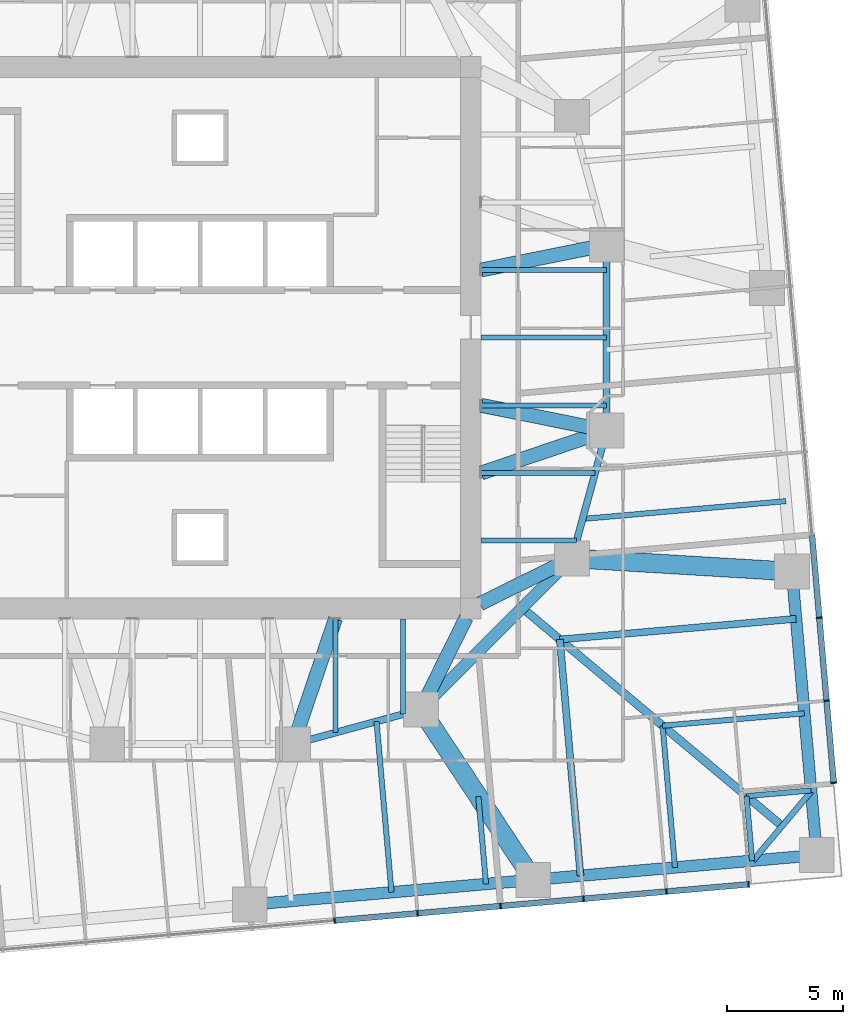
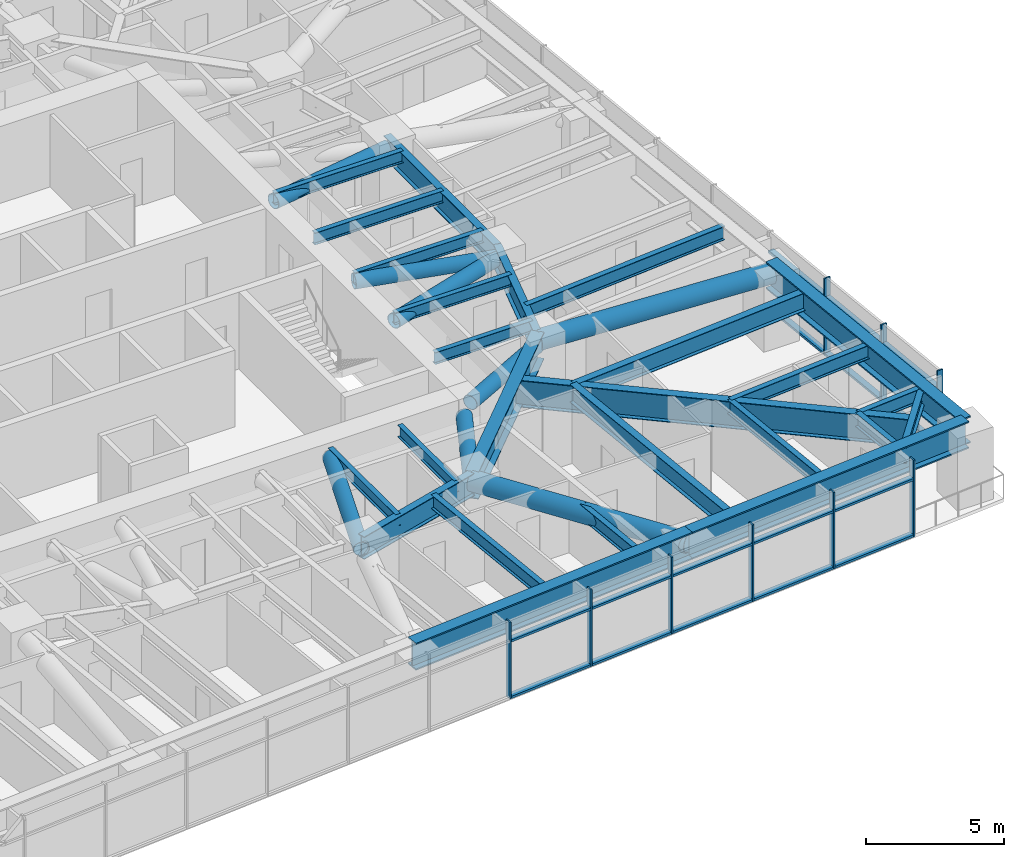
# One storey, part 4 of 18: 33 members, 25 beams, 2 elements without a shape of their own.
"""IFC4 building model written with IfcOpenShell, lengths in metres."""

from ifc_helpers import new_model, si_unit, direction, frame, origin, origin_2d, place, context, subcontext, project, spatial, rectangle, hollow_circle, i_section, extrude, material, material_profile, profile_set, type_object, element, aggregate, save


model = new_model("IFC4")

# Units and contexts
model_context = context("Model", 3, precision=1e-05, world=origin(), true_north=direction((0.0, 1.0)))
body_context = subcontext(model_context, "Body", "Model", "MODEL_VIEW")
ifc_project = project(units=[si_unit("LENGTHUNIT", "METRE"), si_unit("AREAUNIT", "SQUARE_METRE"), si_unit("VOLUMEUNIT", "CUBIC_METRE"), si_unit("PLANEANGLEUNIT", "RADIAN"), si_unit("MASSUNIT", "GRAM", prefix="KILO")], contexts=[model_context])

# Site, building, storey
site_placement = place(None, origin())
site = spatial("IfcSite", under=ifc_project, at=site_placement, CompositionType="ELEMENT")
building_placement = place(site_placement, origin())
building = spatial("IfcBuilding", under=site, at=building_placement, Name="Torsade Residences", CompositionType="ELEMENT")
storey_placement = place(building_placement, frame((0.0, 0.0, 71.0)))
storey = spatial("IfcBuildingStorey", under=building, at=storey_placement, Name="L19", CompositionType="ELEMENT", Elevation=71.0)

# Beams
ifc_material_1 = material(Name="Steel grade 300", Category="steel")
ifc_material_profile_1 = material_profile(ifc_material_1, i_section(OverallWidth=0.35009765625, OverallDepth=1.199951171875, WebThickness=0.01611328125, FlangeThickness=0.028076171875, at=origin_2d()), Name="1200WB278")
ifc_profile_set_1 = profile_set([ifc_material_profile_1], Name="Steel grade 300")
beam_type_1 = type_object("IfcBeamType", Name="CORNER GIRDER 1200WB278", PredefinedType="BEAM", material=ifc_profile_set_1)
beam_1_placement = place(storey_placement, frame((65.052490234375, 8.978515625, 2.60009765625), z_axis=(-0.766046281307, 0.642785419012, 0.0), x_axis=(-0.642785419012, -0.766046281307, 0.0)))
element("IfcBeam", 1, at=beam_1_placement, inside=storey, type_object=beam_type_1, Name="Corner girder 05 L20", PredefinedType="BEAM", context=body_context, shape_type="SweptSolid", body=[
    extrude(i_section(OverallWidth=0.35009765625, OverallDepth=1.199951171875, WebThickness=0.01611328125, FlangeThickness=0.028076171875, at=origin_2d()), origin(), (0.0, 0.0, 1.0), 14.603515625),
])
ifc_material_2 = material(Name="Steel grade 300", Category="steel")
ifc_material_profile_2 = material_profile(ifc_material_2, i_section(OverallWidth=0.25, OverallDepth=0.699951171875, WebThickness=0.010009765625, FlangeThickness=0.02001953125, at=origin_2d()), Name="700WB130")
ifc_profile_set_2 = profile_set([ifc_material_profile_2], Name="Steel grade 300")
beam_type_2 = type_object("IfcBeamType", Name="CORNER TRIMMER 700WB130", PredefinedType="BEAM", material=ifc_profile_set_2)
beam_2_placement = place(storey_placement, frame((66.302490234375, 10.468017578125, 2.85009765625), z_axis=(-0.642804819911, -0.766030001697, 0.0), x_axis=(0.766030001697, -0.642804819911, 0.0)))
element("IfcBeam", 2, at=beam_2_placement, inside=storey, type_object=beam_type_2, Name="Corner trimmer 05 L20", PredefinedType="BEAM", context=body_context, shape_type="SweptSolid", body=[
    extrude(i_section(OverallWidth=0.25, OverallDepth=0.699951171875, WebThickness=0.010009765625, FlangeThickness=0.02001953125, at=origin_2d()), origin(), (0.0, 0.0, 1.0), 3.88916015625),
])

# Curtain wall, members
ifc_material_3 = material(Name="Aluminium and glass", Category="aluminium")
curtain_wall_type = type_object("IfcCurtainWallType", Name="FRITTED GLASS CURTAIN WALL LOW ZONE", PredefinedType="NOTDEFINED", material=ifc_material_3)
curtain_wall_1_placement = place(storey_placement, origin())
curtain_wall_1 = element("IfcCurtainWall", 3, at=curtain_wall_1_placement, inside=storey, type_object=curtain_wall_type, Name="Curtain wall L19 face 1", PredefinedType="NOTDEFINED")
ifc_material_4 = material(Name="Aluminium mullion", Category="aluminium")
ifc_material_profile_3 = material_profile(ifc_material_4, rectangle(XDim=0.25, YDim=0.06494140625, at=origin_2d()), Name="CURTAIN WALL MULLION 250x65")
ifc_profile_set_3 = profile_set([ifc_material_profile_3], Name="Aluminium mullion")
member_type_1 = type_object("IfcMemberType", Name="CURTAIN WALL MULLION 250x65", PredefinedType="MULLION", material=ifc_profile_set_3)
member_1_placement = place(storey_placement, frame((45.792236328125, 4.909423828125, 0.0), z_axis=(0.0, 0.0, 1.0), x_axis=(-0.087155744208, 0.996194697964, 0.0)))
member_1 = element("IfcMember", 4, at=member_1_placement, type_object=member_type_1, Name="Mullion 8", PredefinedType="MULLION", context=body_context, shape_type="SweptSolid", body=[
    extrude(rectangle(XDim=0.25, YDim=0.06494140625, at=origin_2d()), origin(), (0.0, 0.0, 1.0), 3.39990234375),
])
member_2_placement = place(storey_placement, frame((49.36181640625, 5.2216796875, 0.0), z_axis=(0.0, 0.0, 1.0), x_axis=(-0.087155744208, 0.996194697964, 0.0)))
member_2 = element("IfcMember", 5, at=member_2_placement, type_object=member_type_1, Name="Mullion 9", PredefinedType="MULLION", context=body_context, shape_type="SweptSolid", body=[
    extrude(rectangle(XDim=0.25, YDim=0.06494140625, at=origin_2d()), origin(), (0.0, 0.0, 1.0), 3.39990234375),
])
member_3_placement = place(storey_placement, frame((52.931640625, 5.533935546875, 0.0), z_axis=(0.0, 0.0, 1.0), x_axis=(-0.087155744208, 0.996194697964, 0.0)))
member_3 = element("IfcMember", 6, at=member_3_placement, type_object=member_type_1, Name="Mullion 10", PredefinedType="MULLION", context=body_context, shape_type="SweptSolid", body=[
    extrude(rectangle(XDim=0.25, YDim=0.06494140625, at=origin_2d()), origin(), (0.0, 0.0, 1.0), 3.39990234375),
])
member_4_placement = place(storey_placement, frame((56.501220703125, 5.84619140625, 0.0), z_axis=(0.0, 0.0, 1.0), x_axis=(-0.087155744208, 0.996194697964, 0.0)))
member_4 = element("IfcMember", 7, at=member_4_placement, type_object=member_type_1, Name="Mullion 11", PredefinedType="MULLION", context=body_context, shape_type="SweptSolid", body=[
    extrude(rectangle(XDim=0.25, YDim=0.06494140625, at=origin_2d()), origin(), (0.0, 0.0, 1.0), 3.39990234375),
])
member_5_placement = place(storey_placement, frame((60.071044921875, 6.15869140625, 0.0), z_axis=(0.0, 0.0, 1.0), x_axis=(-0.087155744208, 0.996194697964, 0.0)))
member_5 = element("IfcMember", 8, at=member_5_placement, type_object=member_type_1, Name="Mullion 12", PredefinedType="MULLION", context=body_context, shape_type="SweptSolid", body=[
    extrude(rectangle(XDim=0.25, YDim=0.06494140625, at=origin_2d()), origin(), (0.0, 0.0, 1.0), 3.39990234375),
])
member_6_placement = place(storey_placement, frame((63.6083984375, 6.468017578125, 0.0), z_axis=(0.0, 0.0, 1.0), x_axis=(-0.087155744208, 0.996194697964, 0.0)))
member_6 = element("IfcMember", 9, at=member_6_placement, type_object=member_type_1, Name="Mullion 13", PredefinedType="MULLION", context=body_context, shape_type="SweptSolid", body=[
    extrude(rectangle(XDim=0.25, YDim=0.06494140625, at=origin_2d()), origin(), (0.0, 0.0, 1.0), 3.39990234375),
])

curtain_wall_2_placement = place(storey_placement, origin())
curtain_wall_2 = element("IfcCurtainWall", 10, at=curtain_wall_2_placement, inside=storey, type_object=curtain_wall_type, Name="Curtain wall L19 face 4", PredefinedType="NOTDEFINED")
member_7_placement = place(storey_placement, frame((67.27392578125, 10.836669921875, 0.0), z_axis=(0.0, 0.0, 1.0), x_axis=(-0.996194697964, -0.087155744208, 0.0)))
member_7 = element("IfcMember", 11, at=member_7_placement, type_object=member_type_1, Name="Mullion 1", PredefinedType="MULLION", context=body_context, shape_type="SweptSolid", body=[
    extrude(rectangle(XDim=0.25, YDim=0.06494140625, at=origin_2d()), origin(), (0.0, 0.0, 1.0), 3.39990234375),
])
member_8_placement = place(storey_placement, frame((66.964599609375, 14.3740234375, 0.0), z_axis=(0.0, 0.0, 1.0), x_axis=(-0.996194697964, -0.087155744208, 0.0)))
member_8 = element("IfcMember", 12, at=member_8_placement, type_object=member_type_1, Name="Mullion 2", PredefinedType="MULLION", context=body_context, shape_type="SweptSolid", body=[
    extrude(rectangle(XDim=0.25, YDim=0.06494140625, at=origin_2d()), origin(), (0.0, 0.0, 1.0), 3.39990234375),
])
member_9_placement = place(storey_placement, frame((66.652099609375, 17.943603515625, 0.0), z_axis=(0.0, 0.0, 1.0), x_axis=(-0.996194697964, -0.087155744208, 0.0)))
member_9 = element("IfcMember", 13, at=member_9_placement, type_object=member_type_1, Name="Mullion 3", PredefinedType="MULLION", context=body_context, shape_type="SweptSolid", body=[
    extrude(rectangle(XDim=0.25, YDim=0.06494140625, at=origin_2d()), origin(), (0.0, 0.0, 1.0), 3.39990234375),
])

# Member
ifc_material_5 = material(Name="Aluminium transom", Category="aluminium")
ifc_material_profile_4 = material_profile(ifc_material_5, rectangle(XDim=0.25, YDim=0.10009765625, at=origin_2d()), Name="CURTAIN WALL TRANSOM 250x100")
ifc_profile_set_4 = profile_set([ifc_material_profile_4], Name="Aluminium transom")
member_type_2 = type_object("IfcMemberType", Name="CURTAIN WALL TRANSOM 250x100", PredefinedType="USERDEFINED", material=ifc_profile_set_4)
member_10_placement = place(storey_placement, frame((45.824462890625, 4.912109375, 0.050048828125), z_axis=(0.996195148363, 0.08715059597, 0.0), x_axis=(-0.08715059597, 0.996195148363, 0.0)))
member_10 = element("IfcMember", 14, at=member_10_placement, type_object=member_type_2, Name="Transom 8.1", ObjectType="TRANSOM", PredefinedType="USERDEFINED", context=body_context, shape_type="SweptSolid", body=[
    extrude(rectangle(XDim=0.25, YDim=0.10009765625, at=origin_2d()), origin(), (0.0, 0.0, 1.0), 3.5185546875),
])

member_11_placement = place(storey_placement, frame((45.824462890625, 4.912109375, 2.550048828125), z_axis=(0.996195148363, 0.08715059597, 0.0), x_axis=(-0.08715059597, 0.996195148363, 0.0)))
member_11 = element("IfcMember", 15, at=member_11_placement, type_object=member_type_2, Name="Transom 8.2", ObjectType="TRANSOM", PredefinedType="USERDEFINED", context=body_context, shape_type="SweptSolid", body=[
    extrude(rectangle(XDim=0.25, YDim=0.10009765625, at=origin_2d()), origin(), (0.0, 0.0, 1.0), 3.5185546875),
])

member_12_placement = place(storey_placement, frame((49.394287109375, 5.224365234375, 0.050048828125), z_axis=(0.996194621295, 0.087156620531, 0.0), x_axis=(-0.087156620531, 0.996194621295, 0.0)))
member_12 = element("IfcMember", 16, at=member_12_placement, type_object=member_type_2, Name="Transom 9.1", ObjectType="TRANSOM", PredefinedType="USERDEFINED", context=body_context, shape_type="SweptSolid", body=[
    extrude(rectangle(XDim=0.25, YDim=0.10009765625, at=origin_2d()), origin(), (0.0, 0.0, 1.0), 3.518310546875),
])

member_13_placement = place(storey_placement, frame((49.394287109375, 5.224365234375, 2.550048828125), z_axis=(0.996194621295, 0.087156620531, 0.0), x_axis=(-0.087156620531, 0.996194621295, 0.0)))
member_13 = element("IfcMember", 17, at=member_13_placement, type_object=member_type_2, Name="Transom 9.2", ObjectType="TRANSOM", PredefinedType="USERDEFINED", context=body_context, shape_type="SweptSolid", body=[
    extrude(rectangle(XDim=0.25, YDim=0.10009765625, at=origin_2d()), origin(), (0.0, 0.0, 1.0), 3.518310546875),
])

member_14_placement = place(storey_placement, frame((52.9638671875, 5.536865234375, 0.050048828125), z_axis=(0.996195148363, 0.08715059597, 0.0), x_axis=(-0.08715059597, 0.996195148363, 0.0)))
member_14 = element("IfcMember", 18, at=member_14_placement, type_object=member_type_2, Name="Transom 10.1", ObjectType="TRANSOM", PredefinedType="USERDEFINED", context=body_context, shape_type="SweptSolid", body=[
    extrude(rectangle(XDim=0.25, YDim=0.10009765625, at=origin_2d()), origin(), (0.0, 0.0, 1.0), 3.5185546875),
])

member_15_placement = place(storey_placement, frame((52.9638671875, 5.536865234375, 2.550048828125), z_axis=(0.996195148363, 0.08715059597, 0.0), x_axis=(-0.08715059597, 0.996195148363, 0.0)))
member_15 = element("IfcMember", 19, at=member_15_placement, type_object=member_type_2, Name="Transom 10.2", ObjectType="TRANSOM", PredefinedType="USERDEFINED", context=body_context, shape_type="SweptSolid", body=[
    extrude(rectangle(XDim=0.25, YDim=0.10009765625, at=origin_2d()), origin(), (0.0, 0.0, 1.0), 3.5185546875),
])

member_16_placement = place(storey_placement, frame((56.53369140625, 5.84912109375, 0.050048828125), z_axis=(0.996194621295, 0.087156620531, 0.0), x_axis=(-0.087156620531, 0.996194621295, 0.0)))
member_16 = element("IfcMember", 20, at=member_16_placement, type_object=member_type_2, Name="Transom 11.1", ObjectType="TRANSOM", PredefinedType="USERDEFINED", context=body_context, shape_type="SweptSolid", body=[
    extrude(rectangle(XDim=0.25, YDim=0.10009765625, at=origin_2d()), origin(), (0.0, 0.0, 1.0), 3.518310546875),
])

member_17_placement = place(storey_placement, frame((56.53369140625, 5.84912109375, 2.550048828125), z_axis=(0.996194621295, 0.087156620531, 0.0), x_axis=(-0.087156620531, 0.996194621295, 0.0)))
member_17 = element("IfcMember", 21, at=member_17_placement, type_object=member_type_2, Name="Transom 11.2", ObjectType="TRANSOM", PredefinedType="USERDEFINED", context=body_context, shape_type="SweptSolid", body=[
    extrude(rectangle(XDim=0.25, YDim=0.10009765625, at=origin_2d()), origin(), (0.0, 0.0, 1.0), 3.518310546875),
])

member_18_placement = place(storey_placement, frame((60.103271484375, 6.161376953125, 0.050048828125), z_axis=(0.996191284475, 0.08719475177, 0.0), x_axis=(-0.08719475177, 0.996191284475, 0.0)))
member_18 = element("IfcMember", 22, at=member_18_placement, type_object=member_type_2, Name="Transom 12.1", ObjectType="TRANSOM", PredefinedType="USERDEFINED", context=body_context, shape_type="SweptSolid", body=[
    extrude(rectangle(XDim=0.25, YDim=0.10009765625, at=origin_2d()), origin(), (0.0, 0.0, 1.0), 3.48583984375),
])

member_19_placement = place(storey_placement, frame((60.103271484375, 6.161376953125, 2.550048828125), z_axis=(0.996191284475, 0.08719475177, 0.0), x_axis=(-0.08719475177, 0.996191284475, 0.0)))
member_19 = element("IfcMember", 23, at=member_19_placement, type_object=member_type_2, Name="Transom 12.2", ObjectType="TRANSOM", PredefinedType="USERDEFINED", context=body_context, shape_type="SweptSolid", body=[
    extrude(rectangle(XDim=0.25, YDim=0.10009765625, at=origin_2d()), origin(), (0.0, 0.0, 1.0), 3.48583984375),
])

aggregate(curtain_wall_1, [member_1, member_2, member_3, member_4, member_5, member_6, member_10, member_11, member_12, member_13, member_14, member_15, member_16, member_17, member_18, member_19])

member_20_placement = place(storey_placement, frame((67.271240234375, 10.869140625, 0.050048828125), z_axis=(-0.0872008357, 0.996190751941, 0.0), x_axis=(-0.996190751941, -0.0872008357, 0.0)))
member_20 = element("IfcMember", 24, at=member_20_placement, type_object=member_type_2, Name="Transom 1.1", ObjectType="TRANSOM", PredefinedType="USERDEFINED", context=body_context, shape_type="SweptSolid", body=[
    extrude(rectangle(XDim=0.25, YDim=0.10009765625, at=origin_2d()), origin(), (0.0, 0.0, 1.0), 3.485595703125),
])

member_21_placement = place(storey_placement, frame((67.271240234375, 10.869140625, 2.550048828125), z_axis=(-0.0872008357, 0.996190751941, 0.0), x_axis=(-0.996190751941, -0.0872008357, 0.0)))
member_21 = element("IfcMember", 25, at=member_21_placement, type_object=member_type_2, Name="Transom 1.2", ObjectType="TRANSOM", PredefinedType="USERDEFINED", context=body_context, shape_type="SweptSolid", body=[
    extrude(rectangle(XDim=0.25, YDim=0.10009765625, at=origin_2d()), origin(), (0.0, 0.0, 1.0), 3.485595703125),
])

member_22_placement = place(storey_placement, frame((66.961669921875, 14.40625, 0.050048828125), z_axis=(-0.08715059597, 0.996195148363, 0.0), x_axis=(-0.996195148363, -0.08715059597, 0.0)))
member_22 = element("IfcMember", 26, at=member_22_placement, type_object=member_type_2, Name="Transom 2.1", ObjectType="TRANSOM", PredefinedType="USERDEFINED", context=body_context, shape_type="SweptSolid", body=[
    extrude(rectangle(XDim=0.25, YDim=0.10009765625, at=origin_2d()), origin(), (0.0, 0.0, 1.0), 3.5185546875),
])

member_23_placement = place(storey_placement, frame((66.961669921875, 14.40625, 2.550048828125), z_axis=(-0.08715059597, 0.996195148363, 0.0), x_axis=(-0.996195148363, -0.08715059597, 0.0)))
member_23 = element("IfcMember", 27, at=member_23_placement, type_object=member_type_2, Name="Transom 2.2", ObjectType="TRANSOM", PredefinedType="USERDEFINED", context=body_context, shape_type="SweptSolid", body=[
    extrude(rectangle(XDim=0.25, YDim=0.10009765625, at=origin_2d()), origin(), (0.0, 0.0, 1.0), 3.5185546875),
])

member_24_placement = place(storey_placement, frame((66.6494140625, 17.97607421875, 0.050048828125), z_axis=(-0.087156620531, 0.996194621295, 0.0), x_axis=(-0.996194621295, -0.087156620531, 0.0)))
member_24 = element("IfcMember", 28, at=member_24_placement, type_object=member_type_2, Name="Transom 3.1", ObjectType="TRANSOM", PredefinedType="USERDEFINED", context=body_context, shape_type="SweptSolid", body=[
    extrude(rectangle(XDim=0.25, YDim=0.10009765625, at=origin_2d()), origin(), (0.0, 0.0, 1.0), 3.518310546875),
])

member_25_placement = place(storey_placement, frame((66.6494140625, 17.97607421875, 2.550048828125), z_axis=(-0.087156620531, 0.996194621295, 0.0), x_axis=(-0.996194621295, -0.087156620531, 0.0)))
member_25 = element("IfcMember", 29, at=member_25_placement, type_object=member_type_2, Name="Transom 3.2", ObjectType="TRANSOM", PredefinedType="USERDEFINED", context=body_context, shape_type="SweptSolid", body=[
    extrude(rectangle(XDim=0.25, YDim=0.10009765625, at=origin_2d()), origin(), (0.0, 0.0, 1.0), 3.518310546875),
])

aggregate(curtain_wall_2, [member_7, member_8, member_9, member_20, member_21, member_22, member_23, member_24, member_25])

# Beams
ifc_material_6 = material(Name="Steel grade 300", Category="steel")
ifc_material_profile_5 = material_profile(ifc_material_6, i_section(OverallWidth=0.208984375, OverallDepth=0.528076171875, WebThickness=0.009521484375, FlangeThickness=0.01318359375, FilletRadius=0.013916015625, at=origin_2d()), Name="530UB82.0")
ifc_profile_set_5 = profile_set([ifc_material_profile_5], Name="Steel grade 300")
beam_type_3 = type_object("IfcBeamType", Name="INNER FLOOR BEAM 530UB82.0", PredefinedType="JOIST", material=ifc_profile_set_5)
beam_3_placement = place(storey_placement, frame((48.737548828125, 17.89990234375, 2.93603515625), z_axis=(0.0, -1.0, 0.0), x_axis=(1.0, 0.0, 0.0)))
element("IfcBeam", 30, at=beam_3_placement, inside=storey, type_object=beam_type_3, Name="Inner floor beam IS01 L20", PredefinedType="JOIST", context=body_context, shape_type="SweptSolid", body=[
    extrude(i_section(OverallWidth=0.208984375, OverallDepth=0.528076171875, WebThickness=0.009521484375, FlangeThickness=0.01318359375, FilletRadius=0.013916015625, at=origin_2d()), origin(), (0.0, 0.0, 1.0), 4.10791015625),
])
beam_4_placement = place(storey_placement, frame((45.824951171875, 17.89990234375, 2.93603515625), z_axis=(0.0, -1.0, 0.0), x_axis=(1.0, 0.0, 0.0)))
element("IfcBeam", 31, at=beam_4_placement, inside=storey, type_object=beam_type_3, Name="Inner floor beam IS02 L20", PredefinedType="JOIST", context=body_context, shape_type="SweptSolid", body=[
    extrude(i_section(OverallWidth=0.208984375, OverallDepth=0.528076171875, WebThickness=0.009521484375, FlangeThickness=0.01318359375, FilletRadius=0.013916015625, at=origin_2d()), origin(), (0.0, 0.0, 1.0), 4.902099609375),
])
beam_5_placement = place(storey_placement, frame((52.10009765625, 21.262451171875, 2.93603515625), z_axis=(1.0, 0.0, 0.0), x_axis=(0.0, 1.0, 0.0)))
element("IfcBeam", 32, at=beam_5_placement, inside=storey, type_object=beam_type_3, Name="Inner floor beam IE01 L20", PredefinedType="JOIST", context=body_context, shape_type="SweptSolid", body=[
    extrude(i_section(OverallWidth=0.208984375, OverallDepth=0.528076171875, WebThickness=0.009521484375, FlangeThickness=0.01318359375, FilletRadius=0.013916015625, at=origin_2d()), origin(), (0.0, 0.0, 1.0), 4.10791015625),
])
beam_6_placement = place(storey_placement, frame((52.10009765625, 24.175048828125, 2.93603515625), z_axis=(1.0, 0.0, 0.0), x_axis=(0.0, 1.0, 0.0)))
element("IfcBeam", 33, at=beam_6_placement, inside=storey, type_object=beam_type_3, Name="Inner floor beam IE02 L20", PredefinedType="JOIST", context=body_context, shape_type="SweptSolid", body=[
    extrude(i_section(OverallWidth=0.208984375, OverallDepth=0.528076171875, WebThickness=0.009521484375, FlangeThickness=0.01318359375, FilletRadius=0.013916015625, at=origin_2d()), origin(), (0.0, 0.0, 1.0), 4.902099609375),
])
for number, where, z_axis, x_axis, name in (
    (34, (52.10009765625, 27.08740234375, 2.93603515625), (1.0, 0.0, 0.0), (0.0, 1.0, 0.0), "Inner floor beam IE03 L20"),
    (35, (52.10009765625, 30.0, 2.93603515625), (1.0, 0.0, 0.0), (0.0, 1.0, 0.0), "Inner floor beam IE04 L20"),
    (36, (52.10009765625, 32.91259765625, 2.93603515625), (1.0, 0.0, 0.0), (0.0, 1.0, 0.0), "Inner floor beam IE05 L20"),
):
    element("IfcBeam", number, at=place(storey_placement, frame(where, z_axis=z_axis, x_axis=x_axis)), inside=storey, type_object=beam_type_3, Name=name, PredefinedType="JOIST", context=body_context, shape_type="SweptSolid", body=[
        extrude(i_section(OverallWidth=0.208984375, OverallDepth=0.528076171875, WebThickness=0.009521484375, FlangeThickness=0.01318359375, FilletRadius=0.013916015625, at=origin_2d()), origin(), (0.0, 0.0, 1.0), 5.39990234375),
    ])
ifc_material_7 = material(Name="Steel grade 300", Category="steel")
ifc_material_profile_6 = material_profile(ifc_material_7, i_section(OverallWidth=0.5, OverallDepth=1.199951171875, WebThickness=0.01611328125, FlangeThickness=0.0400390625, at=origin_2d()), Name="1200WB455")
ifc_profile_set_6 = profile_set([ifc_material_profile_6], Name="Steel grade 300")
beam_type_4 = type_object("IfcBeamType", Name="RING CORNER GIRDER 1200WB455", PredefinedType="BEAM", material=ifc_profile_set_6)
beam_7_placement = place(storey_placement, frame((49.5, 14.0, 2.60009765625), z_axis=(0.707106781187, 0.707106781187, 0.0), x_axis=(-0.707106781187, 0.707106781187, 0.0)))
element("IfcBeam", 37, at=beam_7_placement, inside=storey, type_object=beam_type_4, Name="Ring girder IR15 L20", PredefinedType="BEAM", context=body_context, shape_type="SweptSolid", body=[
    extrude(i_section(OverallWidth=0.5, OverallDepth=1.199951171875, WebThickness=0.01611328125, FlangeThickness=0.0400390625, at=origin_2d()), origin(), (0.0, 0.0, 1.0), 9.1923828125),
])
ifc_material_8 = material(Name="Steel grade 300", Category="steel")
ifc_material_profile_7 = material_profile(ifc_material_8, i_section(OverallWidth=0.300048828125, OverallDepth=1.0, WebThickness=0.01611328125, FlangeThickness=0.028076171875, at=origin_2d()), Name="1000WB215")
ifc_profile_set_7 = profile_set([ifc_material_profile_7], Name="Steel grade 300")
beam_type_5 = type_object("IfcBeamType", Name="RING GIRDER 1000WB215", PredefinedType="BEAM", material=ifc_profile_set_7)
beam_8_placement = place(storey_placement, frame((57.5, 26.0, 2.699951171875), z_axis=(0.0, 1.0, 0.0), x_axis=(-1.0, 0.0, 0.0)))
element("IfcBeam", 38, at=beam_8_placement, inside=storey, type_object=beam_type_5, Name="Ring girder IR01 L20", PredefinedType="BEAM", context=body_context, shape_type="SweptSolid", body=[
    extrude(i_section(OverallWidth=0.300048828125, OverallDepth=1.0, WebThickness=0.01611328125, FlangeThickness=0.028076171875, at=origin_2d()), origin(), (0.0, 0.0, 1.0), 8.0),
])
for number, where, z_axis, x_axis, name in (
    (39, (44.0, 12.5, 2.699951171875), (0.964763821238, 0.263117405792, 0.0), (-0.263117405792, 0.964763821238, 0.0), "Ring girder IR14 L20"),
    (40, (56.0, 20.5, 2.699951171875), (0.263117405792, 0.964763821238, 0.0), (-0.964763821238, 0.263117405792, 0.0), "Ring girder IR16 L20"),
):
    element("IfcBeam", number, at=place(storey_placement, frame(where, z_axis=z_axis, x_axis=x_axis)), inside=storey, type_object=beam_type_5, Name=name, PredefinedType="BEAM", context=body_context, shape_type="SweptSolid", body=[
        extrude(i_section(OverallWidth=0.300048828125, OverallDepth=1.0, WebThickness=0.01611328125, FlangeThickness=0.028076171875, at=origin_2d()), origin(), (0.0, 0.0, 1.0), 5.700927734375),
    ])
ifc_material_9 = material(Name="Steel grade 300", Category="steel")
ifc_material_profile_8 = material_profile(ifc_material_9, i_section(OverallWidth=0.22900390625, OverallDepth=0.612060546875, WebThickness=0.011962890625, FlangeThickness=0.01953125, FilletRadius=0.013916015625, at=origin_2d()), Name="610UB125")
ifc_profile_set_8 = profile_set([ifc_material_profile_8], Name="Steel grade 300")
beam_type_6 = type_object("IfcBeamType", Name="SECONDARY BEAM 610UB125", PredefinedType="JOIST", material=ifc_profile_set_8)
beam_9_placement = place(storey_placement, frame((48.237060546875, 6.126953125, 2.89404296875), z_axis=(-0.087156282128, 0.996194650902, 0.0), x_axis=(-0.996194650902, -0.087156282128, 0.0)))
element("IfcBeam", 41, at=beam_9_placement, inside=storey, type_object=beam_type_6, Name="Floor beam FS08 L20", PredefinedType="JOIST", context=body_context, shape_type="SweptSolid", body=[
    extrude(i_section(OverallWidth=0.22900390625, OverallDepth=0.612060546875, WebThickness=0.011962890625, FlangeThickness=0.01953125, FilletRadius=0.013916015625, at=origin_2d()), origin(), (0.0, 0.0, 1.0), 7.381103515625),
])
beam_10_placement = place(storey_placement, frame((52.3046875, 6.48291015625, 2.89404296875), z_axis=(-0.087142892177, 0.996195822288, 0.0), x_axis=(-0.996195822288, -0.087142892177, 0.0)))
element("IfcBeam", 42, at=beam_10_placement, inside=storey, type_object=beam_type_6, Name="Floor beam FS09 L20", PredefinedType="JOIST", context=body_context, shape_type="SweptSolid", body=[
    extrude(i_section(OverallWidth=0.22900390625, OverallDepth=0.612060546875, WebThickness=0.011962890625, FlangeThickness=0.01953125, FilletRadius=0.013916015625, at=origin_2d()), origin(), (0.0, 0.0, 1.0), 3.776611328125),
])
beam_11_placement = place(storey_placement, frame((60.4404296875, 7.19482421875, 2.89404296875), z_axis=(-0.087174861801, 0.996193025206, 0.0), x_axis=(-0.996193025206, -0.087174861801, 0.0)))
element("IfcBeam", 43, at=beam_11_placement, inside=storey, type_object=beam_type_6, Name="Floor beam FS11 L20", PredefinedType="JOIST", context=body_context, shape_type="SweptSolid", body=[
    extrude(i_section(OverallWidth=0.22900390625, OverallDepth=0.612060546875, WebThickness=0.011962890625, FlangeThickness=0.01953125, FilletRadius=0.013916015625, at=origin_2d()), origin(), (0.0, 0.0, 1.0), 6.125),
])
for number, where, z_axis, x_axis, name in (
    (44, (63.760986328125, 7.4853515625, 2.89404296875), (-0.087105111923, 0.996199126418, 0.0), (-0.996199126418, -0.087105111923, 0.0), "Floor beam FS12 L20"),
    (45, (66.298828125, 10.509521484375, 2.89404296875), (-0.996199126418, -0.087105111923, 0.0), (0.087105111923, -0.996199126418, 0.0), "Floor beam FE01 L20"),
):
    element("IfcBeam", number, at=place(storey_placement, frame(where, z_axis=z_axis, x_axis=x_axis)), inside=storey, type_object=beam_type_6, Name=name, PredefinedType="JOIST", context=body_context, shape_type="SweptSolid", body=[
        extrude(i_section(OverallWidth=0.22900390625, OverallDepth=0.612060546875, WebThickness=0.011962890625, FlangeThickness=0.01953125, FilletRadius=0.013916015625, at=origin_2d()), origin(), (0.0, 0.0, 1.0), 2.79150390625),
    ])
beam_12_placement = place(storey_placement, frame((66.00830078125, 13.830322265625, 2.89404296875), z_axis=(-0.996193328106, -0.087171400335, 0.0), x_axis=(0.087171400335, -0.996193328106, 0.0)))
element("IfcBeam", 46, at=beam_12_placement, inside=storey, type_object=beam_type_6, Name="Floor beam FE02 L20", PredefinedType="JOIST", context=body_context, shape_type="SweptSolid", body=[
    extrude(i_section(OverallWidth=0.22900390625, OverallDepth=0.612060546875, WebThickness=0.011962890625, FlangeThickness=0.01953125, FilletRadius=0.013916015625, at=origin_2d()), origin(), (0.0, 0.0, 1.0), 6.125244140625),
])
beam_13_placement = place(storey_placement, frame((65.209228515625, 22.9619140625, 2.89404296875), z_axis=(-0.996195588568, -0.087145563964, 0.0), x_axis=(0.087145563964, -0.996195588568, 0.0)))
element("IfcBeam", 47, at=beam_13_placement, inside=storey, type_object=beam_type_6, Name="Floor beam FE04 L20", PredefinedType="JOIST", context=body_context, shape_type="SweptSolid", body=[
    extrude(i_section(OverallWidth=0.22900390625, OverallDepth=0.612060546875, WebThickness=0.011962890625, FlangeThickness=0.01953125, FilletRadius=0.013916015625, at=origin_2d()), origin(), (0.0, 0.0, 1.0), 8.780029296875),
])
ifc_material_10 = material(Name="Steel grade 300", Category="steel")
ifc_material_profile_9 = material_profile(ifc_material_10, i_section(OverallWidth=0.300048828125, OverallDepth=0.800048828125, WebThickness=0.010009765625, FlangeThickness=0.02001953125, at=origin_2d()), Name="800WB146")
ifc_profile_set_9 = profile_set([ifc_material_profile_9], Name="Steel grade 300")
beam_type_7 = type_object("IfcBeamType", Name="SECONDARY BEAM 800WB146", PredefinedType="JOIST", material=ifc_profile_set_9)
for number, where, z_axis, x_axis, name in (
    (48, (56.37255859375, 6.8388671875, 2.800048828125), (-0.087149742944, 0.996195222988, 0.0), (-0.996195222988, -0.087149742944, 0.0), "Floor beam FS10 L20"),
    (49, (65.65234375, 17.89794921875, 2.800048828125), (-0.996195222988, -0.087149742944, 0.0), (0.087149742944, -0.996195222988, 0.0), "Floor beam FE03 L20"),
):
    element("IfcBeam", number, at=place(storey_placement, frame(where, z_axis=z_axis, x_axis=x_axis)), inside=storey, type_object=beam_type_7, Name=name, PredefinedType="JOIST", context=body_context, shape_type="SweptSolid", body=[
        extrude(i_section(OverallWidth=0.300048828125, OverallDepth=0.800048828125, WebThickness=0.010009765625, FlangeThickness=0.02001953125, at=origin_2d()), origin(), (0.0, 0.0, 1.0), 10.208251953125),
    ])

# Members
ifc_material_11 = material(Name="Steel grade 450", Category="steel")
ifc_material_profile_10 = material_profile(ifc_material_11, hollow_circle(Radius=0.304931640625, WallThickness=0.01611328125, at=origin_2d()), Name="610.0x16.0CHS")
ifc_profile_set_10 = profile_set([ifc_material_profile_10], Name="Steel grade 450")
member_type_3 = type_object("IfcMemberType", Name="TRANSFER FLOOR BRACE 610.0x16.0CHS", PredefinedType="BRACE", material=ifc_profile_set_10)
member_26_placement = place(storey_placement, frame((57.5, 26.0, 2.60009765625), z_axis=(-0.97976354245, 0.197299340721, 0.033710102894), x_axis=(-0.197411538983, -0.980320704809, 0.0)))
element("IfcMember", 50, at=member_26_placement, inside=storey, type_object=member_type_3, Name="Transfer floor brace TT2 bottom IR01IE03", PredefinedType="BRACE", context=body_context, shape_type="SweptSolid", body=[
    extrude(hollow_circle(Radius=0.304931640625, WallThickness=0.01611328125, at=origin_2d()), origin(), (0.0, 0.0, 1.0), 5.511474609375),
])
member_27_placement = place(storey_placement, frame((57.5, 26.0, 2.60009765625), z_axis=(-0.946857291164, -0.319999920944, 0.032577918373), x_axis=(0.320169867513, -0.947360151124, 0.0)))
element("IfcMember", 51, at=member_27_placement, inside=storey, type_object=member_type_3, Name="Transfer floor brace TT2 bottom IR01IE02", PredefinedType="BRACE", context=body_context, shape_type="SweptSolid", body=[
    extrude(hollow_circle(Radius=0.304931640625, WallThickness=0.01611328125, at=origin_2d()), origin(), (0.0, 0.0, 1.0), 5.702880859375),
])
member_28_placement = place(storey_placement, frame((57.5, 34.0, 2.60009765625), z_axis=(-0.97976354245, -0.197299340721, 0.033710102894), x_axis=(0.197411538983, -0.980320704809, 0.0)))
element("IfcMember", 52, at=member_28_placement, inside=storey, type_object=member_type_3, Name="Transfer floor brace TT2 bottom IR02IE05", PredefinedType="BRACE", context=body_context, shape_type="SweptSolid", body=[
    extrude(hollow_circle(Radius=0.304931640625, WallThickness=0.01611328125, at=origin_2d()), origin(), (0.0, 0.0, 1.0), 5.511474609375),
])
member_29_placement = place(storey_placement, frame((44.0, 12.5, 2.60009765625), z_axis=(0.319999920944, 0.946857291164, 0.032577918373), x_axis=(-0.947360151124, 0.320169867513, 0.0)))
element("IfcMember", 53, at=member_29_placement, inside=storey, type_object=member_type_3, Name="Transfer floor brace TT2 bottom IR14IS02", PredefinedType="BRACE", context=body_context, shape_type="SweptSolid", body=[
    extrude(hollow_circle(Radius=0.304931640625, WallThickness=0.01611328125, at=origin_2d()), origin(), (0.0, 0.0, 1.0), 5.702880859375),
])
for number, where, z_axis, x_axis, name in (
    (54, (49.5, 14.0, 2.60009765625), (0.443105036702, 0.896469701914, 0.0), (-0.896469701914, 0.443105036702, 0.0), "Transfer floor brace TT2 bottom IR15C"),
    (55, (56.0, 20.5, 2.60009765625), (-0.896469701914, -0.443105036702, 0.0), (0.443105036702, -0.896469701914, 0.0), "Transfer floor brace TT2 bottom IR16C"),
):
    element("IfcMember", number, at=place(storey_placement, frame(where, z_axis=z_axis, x_axis=x_axis)), inside=storey, type_object=member_type_3, Name=name, PredefinedType="BRACE", context=body_context, shape_type="SweptSolid", body=[
        extrude(hollow_circle(Radius=0.304931640625, WallThickness=0.01611328125, at=origin_2d()), origin(), (0.0, 0.0, 1.0), 4.40234375),
    ])
ifc_material_12 = material(Name="Steel grade 450", Category="steel")
ifc_material_profile_11 = material_profile(ifc_material_12, hollow_circle(Radius=0.406494140625, WallThickness=0.02490234375, at=origin_2d()), Name="813.0x25.0CHS")
ifc_profile_set_11 = profile_set([ifc_material_profile_11], Name="Steel grade 450")
member_type_4 = type_object("IfcMemberType", Name="TRANSFER FLOOR STRUT 813.0x25.0CHS", PredefinedType="STRUT", material=ifc_profile_set_11)
member_30_placement = place(storey_placement, frame((54.338623046875, 6.660888671875, 2.800048828125), z_axis=(-0.550430848899, 0.8348807583, 0.0), x_axis=(-0.8348807583, -0.550430848899, 0.0)))
element("IfcMember", 56, at=member_30_placement, inside=storey, type_object=member_type_4, Name="Transfer floor strut TT2 bottom 04IR15", PredefinedType="STRUT", context=body_context, shape_type="SweptSolid", body=[
    extrude(hollow_circle(Radius=0.406494140625, WallThickness=0.02490234375, at=origin_2d()), origin(), (0.0, 0.0, 1.0), 8.79052734375),
])
member_31_placement = place(storey_placement, frame((65.474365234375, 19.931884765625, 2.800048828125), z_axis=(-0.998207028485, 0.05985589598, 0.0), x_axis=(-0.05985589598, -0.998207028485, 0.0)))
element("IfcMember", 57, at=member_31_placement, inside=storey, type_object=member_type_4, Name="Transfer floor strut TT2 bottom 06IR16", PredefinedType="STRUT", context=body_context, shape_type="SweptSolid", body=[
    extrude(hollow_circle(Radius=0.406494140625, WallThickness=0.02490234375, at=origin_2d()), origin(), (0.0, 0.0, 1.0), 9.491455078125),
])

# Beams
ifc_material_13 = material(Name="Steel grade 350", Category="steel")
ifc_material_profile_12 = material_profile(ifc_material_13, i_section(OverallWidth=0.5, OverallDepth=1.199951171875, WebThickness=0.035888671875, FlangeThickness=0.06005859375, at=origin_2d()), Name="1200x500x60x36WPG")
ifc_profile_set_12 = profile_set([ifc_material_profile_12], Name="Steel grade 350")
beam_type_8 = type_object("IfcBeamType", Name="TRANSFER TRUSS CHORD 1200x500x60x36WPG", PredefinedType="USERDEFINED", material=ifc_profile_set_12)
for number, where, z_axis, x_axis, name in (
    (58, (42.13525390625, 5.59326171875, 2.800048828125), (0.996194907201, 0.08715335259, 0.0), (-0.08715335259, 0.996194907201, 0.0), "Transfer truss TT2 bottom chord 03"),
    (59, (54.338623046875, 6.660888671875, 2.800048828125), (0.996194907201, 0.08715335259, 0.0), (-0.08715335259, 0.996194907201, 0.0), "Transfer truss TT2 bottom chord 04"),
    (60, (66.5419921875, 7.728515625, 2.800048828125), (-0.08715335259, 0.996194907201, 0.0), (-0.996194907201, -0.08715335259, 0.0), "Transfer truss TT2 bottom chord 05"),
):
    element("IfcBeam", number, at=place(storey_placement, frame(where, z_axis=z_axis, x_axis=x_axis)), inside=storey, type_object=beam_type_8, Name=name, ObjectType="TRANSFER TRUSS CHORD", PredefinedType="USERDEFINED", context=body_context, shape_type="SweptSolid", body=[
        extrude(i_section(OverallWidth=0.5, OverallDepth=1.199951171875, WebThickness=0.035888671875, FlangeThickness=0.06005859375, at=origin_2d()), origin(), (0.0, 0.0, 1.0), 12.25),
    ])

save(model, "model.ifc")
